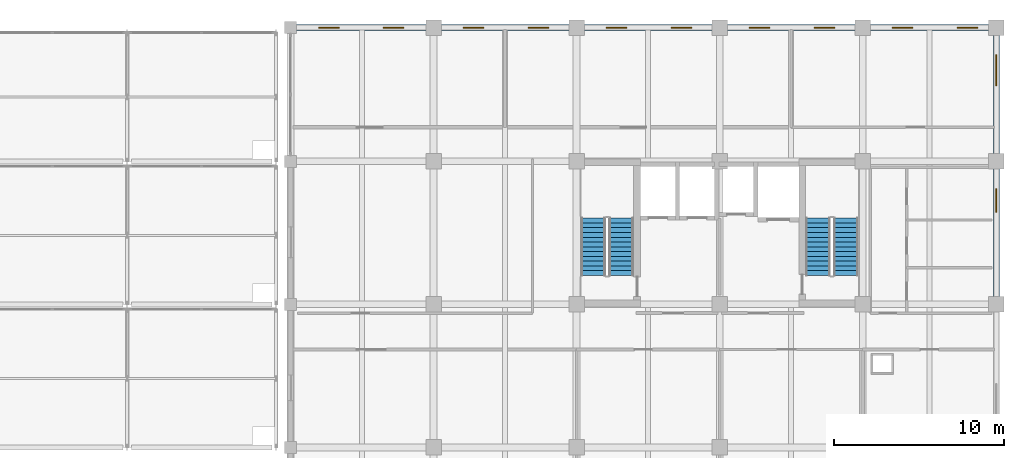
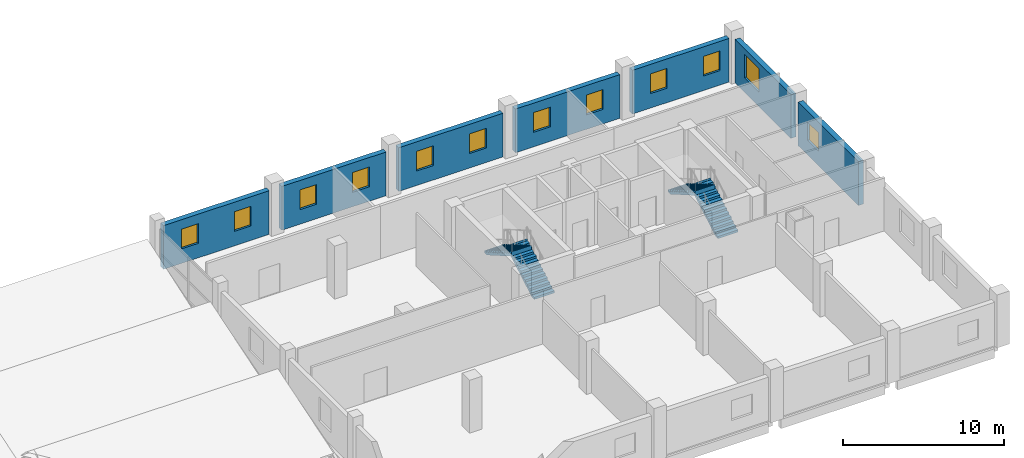
# One storey, part 39 of 40: 12 windows, 7 walls, 4 stair flights, 12 openings, 2 elements without a shape of their own.
"""IFC4 building model written with IfcOpenShell, lengths in metres."""

from ifc_helpers import new_model, si_unit, direction, frame, frame_2d, origin, place, context, subcontext, project, spatial, polyline, rectangle, outline, extrude, material, layer, layer_set, type_object, element, fill, aggregate, save


model = new_model("IFC4")

# Units and contexts
model_context = context("Model", 3, precision=1e-05, world=origin(), true_north=direction((0.0, 1.0)))
body_context = subcontext(model_context, "Body", "Model", "MODEL_VIEW")
ifc_project = project(units=[si_unit("LENGTHUNIT", "METRE"), si_unit("AREAUNIT", "SQUARE_METRE"), si_unit("VOLUMEUNIT", "CUBIC_METRE"), si_unit("PLANEANGLEUNIT", "RADIAN"), si_unit("MASSUNIT", "GRAM", prefix="KILO")], contexts=[model_context])

# Site, building, storey
site_placement = place(None, origin())
site = spatial("IfcSite", under=ifc_project, at=site_placement, CompositionType="ELEMENT")
building_placement = place(site_placement, origin())
building = spatial("IfcBuilding", under=site, at=building_placement, Name="Brinegate Botanical Conservatory", CompositionType="ELEMENT")
storey_placement = place(building_placement, frame((0.0, 0.0, 19.199951171875)))
storey = spatial("IfcBuildingStorey", under=building, at=storey_placement, Name="L05", CompositionType="ELEMENT", Elevation=19.199951171875)

# Wall, openings, windows
ifc_material_1 = material(Name="Insulated Minnan red clay brick masonry", Category="masonry")
ifc_layer = layer(ifc_material_1, 0.360107421875, Name="Insulated Minnan red clay brick masonry", Category="masonry")
ifc_layer_set = layer_set([ifc_layer], Name="Insulated Minnan red clay brick masonry")
wall_type = type_object("IfcWallType", Name="Wall_EW-360B", PredefinedType="STANDARD", material=ifc_layer_set)
wall_1_placement = place(storey_placement, frame((122.35009765625, 111.449951171875, 0.0), z_axis=(0.0, 0.0, 1.0), x_axis=(1.0, 0.0, 0.0)))
wall_1 = element("IfcWall", 1, at=wall_1_placement, inside=storey, type_object=wall_type, Name="Herbarium north insulated red-brick wall L05.1", PredefinedType="STANDARD", context=body_context, shape_type="SweptSolid", body=[
    extrude(rectangle(XDim=7.599853515625, YDim=0.360107421875, at=frame_2d((3.7998046875, 0.0))), origin(), (0.0, 0.0, 1.0), 3.320068359375),
])
opening_1_placement = place(wall_1_placement, frame((1.300048828125, 0.0, 1.10009765625)))
opening_1 = element("IfcOpeningElement", 2, at=opening_1_placement, cuts=wall_1, Name="Opening WN-07", PredefinedType="OPENING", context=body_context, shape_type="SweptSolid", body=[
    extrude(rectangle(XDim=1.199951171875, YDim=1.5, at=frame_2d((0.60009765625, 0.75))), frame((0.0, 0.18994140625, 0.0), z_axis=(0.0, -1.0, 0.0), x_axis=(1.0, 0.0, 0.0)), (0.0, 0.0, 1.0), 0.380126953125),
])
opening_2_placement = place(wall_1_placement, frame((5.10009765625, 0.0, 1.10009765625)))
opening_2 = element("IfcOpeningElement", 3, at=opening_2_placement, cuts=wall_1, Name="Opening WN-07", PredefinedType="OPENING", context=body_context, shape_type="SweptSolid", body=[
    extrude(rectangle(XDim=1.199951171875, YDim=1.5, at=frame_2d((0.60009765625, 0.75))), frame((0.0, 0.18994140625, 0.0), z_axis=(0.0, -1.0, 0.0), x_axis=(1.0, 0.0, 0.0)), (0.0, 0.0, 1.0), 0.380126953125),
])
ifc_material_2 = material(Name="Thermally broken aluminium-framed Low-E glass", Category="aluminium")
window_type_1 = type_object("IfcWindowType", Name="Win_WN-07", PartitioningType="SINGLE_PANEL", PredefinedType="WINDOW", material=ifc_material_2)
window_1_placement = place(opening_1_placement, origin())
window_1 = element("IfcWindow", 4, at=window_1_placement, inside=storey, type_object=window_type_1, Name="Herbarium north UV-filtered window L05.1A", OverallHeight=1.5, OverallWidth=1.199951171875, PartitioningType="SINGLE_PANEL", PredefinedType="WINDOW", context=body_context, shape_type="SweptSolid", body=[
    extrude(rectangle(XDim=1.199951171875, YDim=1.5, at=frame_2d((0.60009765625, 0.75))), frame((0.0, 0.030029296875, 0.0), z_axis=(0.0, -1.0, 0.0), x_axis=(1.0, 0.0, 0.0)), (0.0, 0.0, 1.0), 0.06005859375),
])
fill(opening_1, window_1)
window_2_placement = place(opening_2_placement, origin())
window_2 = element("IfcWindow", 5, at=window_2_placement, inside=storey, type_object=window_type_1, Name="Herbarium north UV-filtered window L05.1B", OverallHeight=1.5, OverallWidth=1.199951171875, PartitioningType="SINGLE_PANEL", PredefinedType="WINDOW", context=body_context, shape_type="SweptSolid", body=[
    extrude(rectangle(XDim=1.199951171875, YDim=1.5, at=frame_2d((0.60009765625, 0.75))), frame((0.0, 0.030029296875, 0.0), z_axis=(0.0, -1.0, 0.0), x_axis=(1.0, 0.0, 0.0)), (0.0, 0.0, 1.0), 0.06005859375),
])
fill(opening_2, window_2)

wall_2_placement = place(storey_placement, frame((130.85009765625, 111.449951171875, 0.0), z_axis=(0.0, 0.0, 1.0), x_axis=(1.0, 0.0, 0.0)))
wall_2 = element("IfcWall", 6, at=wall_2_placement, inside=storey, type_object=wall_type, Name="Herbarium north insulated red-brick wall L05.2", PredefinedType="STANDARD", context=body_context, shape_type="SweptSolid", body=[
    extrude(rectangle(XDim=7.5, YDim=0.360107421875, at=frame_2d((3.75, 0.0))), origin(), (0.0, 0.0, 1.0), 3.320068359375),
])
opening_3_placement = place(wall_2_placement, frame((1.300048828125, 0.0, 1.10009765625)))
opening_3 = element("IfcOpeningElement", 7, at=opening_3_placement, cuts=wall_2, Name="Opening WN-07", PredefinedType="OPENING", context=body_context, shape_type="SweptSolid", body=[
    extrude(rectangle(XDim=1.199951171875, YDim=1.5, at=frame_2d((0.60009765625, 0.75))), frame((0.0, 0.18994140625, 0.0), z_axis=(0.0, -1.0, 0.0), x_axis=(1.0, 0.0, 0.0)), (0.0, 0.0, 1.0), 0.380126953125),
])
opening_4_placement = place(wall_2_placement, frame((5.10009765625, 0.0, 1.10009765625)))
opening_4 = element("IfcOpeningElement", 8, at=opening_4_placement, cuts=wall_2, Name="Opening WN-07", PredefinedType="OPENING", context=body_context, shape_type="SweptSolid", body=[
    extrude(rectangle(XDim=1.199951171875, YDim=1.5, at=frame_2d((0.60009765625, 0.75))), frame((0.0, 0.18994140625, 0.0), z_axis=(0.0, -1.0, 0.0), x_axis=(1.0, 0.0, 0.0)), (0.0, 0.0, 1.0), 0.380126953125),
])
window_3_placement = place(opening_3_placement, origin())
window_3 = element("IfcWindow", 9, at=window_3_placement, inside=storey, type_object=window_type_1, Name="Herbarium north UV-filtered window L05.2A", OverallHeight=1.5, OverallWidth=1.199951171875, PartitioningType="SINGLE_PANEL", PredefinedType="WINDOW", context=body_context, shape_type="SweptSolid", body=[
    extrude(rectangle(XDim=1.199951171875, YDim=1.5, at=frame_2d((0.60009765625, 0.75))), frame((0.0, 0.030029296875, 0.0), z_axis=(0.0, -1.0, 0.0), x_axis=(1.0, 0.0, 0.0)), (0.0, 0.0, 1.0), 0.06005859375),
])
fill(opening_3, window_3)
window_4_placement = place(opening_4_placement, origin())
window_4 = element("IfcWindow", 10, at=window_4_placement, inside=storey, type_object=window_type_1, Name="Herbarium north UV-filtered window L05.2B", OverallHeight=1.5, OverallWidth=1.199951171875, PartitioningType="SINGLE_PANEL", PredefinedType="WINDOW", context=body_context, shape_type="SweptSolid", body=[
    extrude(rectangle(XDim=1.199951171875, YDim=1.5, at=frame_2d((0.60009765625, 0.75))), frame((0.0, 0.030029296875, 0.0), z_axis=(0.0, -1.0, 0.0), x_axis=(1.0, 0.0, 0.0)), (0.0, 0.0, 1.0), 0.06005859375),
])
fill(opening_4, window_4)

wall_3_placement = place(storey_placement, frame((139.25, 111.449951171875, 0.0), z_axis=(0.0, 0.0, 1.0), x_axis=(1.0, 0.0, 0.0)))
wall_3 = element("IfcWall", 11, at=wall_3_placement, inside=storey, type_object=wall_type, Name="Herbarium north insulated red-brick wall L05.3", PredefinedType="STANDARD", context=body_context, shape_type="SweptSolid", body=[
    extrude(rectangle(XDim=7.5, YDim=0.360107421875, at=frame_2d((3.75, 0.0))), origin(), (0.0, 0.0, 1.0), 3.320068359375),
])
opening_5_placement = place(wall_3_placement, frame((1.300048828125, 0.0, 1.10009765625)))
opening_5 = element("IfcOpeningElement", 12, at=opening_5_placement, cuts=wall_3, Name="Opening WN-07", PredefinedType="OPENING", context=body_context, shape_type="SweptSolid", body=[
    extrude(rectangle(XDim=1.199951171875, YDim=1.5, at=frame_2d((0.60009765625, 0.75))), frame((0.0, 0.18994140625, 0.0), z_axis=(0.0, -1.0, 0.0), x_axis=(1.0, 0.0, 0.0)), (0.0, 0.0, 1.0), 0.380126953125),
])
opening_6_placement = place(wall_3_placement, frame((5.10009765625, 0.0, 1.10009765625)))
opening_6 = element("IfcOpeningElement", 13, at=opening_6_placement, cuts=wall_3, Name="Opening WN-07", PredefinedType="OPENING", context=body_context, shape_type="SweptSolid", body=[
    extrude(rectangle(XDim=1.199951171875, YDim=1.5, at=frame_2d((0.60009765625, 0.75))), frame((0.0, 0.18994140625, 0.0), z_axis=(0.0, -1.0, 0.0), x_axis=(1.0, 0.0, 0.0)), (0.0, 0.0, 1.0), 0.380126953125),
])
window_5_placement = place(opening_5_placement, origin())
window_5 = element("IfcWindow", 14, at=window_5_placement, inside=storey, type_object=window_type_1, Name="Herbarium north UV-filtered window L05.3A", OverallHeight=1.5, OverallWidth=1.199951171875, PartitioningType="SINGLE_PANEL", PredefinedType="WINDOW", context=body_context, shape_type="SweptSolid", body=[
    extrude(rectangle(XDim=1.199951171875, YDim=1.5, at=frame_2d((0.60009765625, 0.75))), frame((0.0, 0.030029296875, 0.0), z_axis=(0.0, -1.0, 0.0), x_axis=(1.0, 0.0, 0.0)), (0.0, 0.0, 1.0), 0.06005859375),
])
fill(opening_5, window_5)
window_6_placement = place(opening_6_placement, origin())
window_6 = element("IfcWindow", 15, at=window_6_placement, inside=storey, type_object=window_type_1, Name="Herbarium north UV-filtered window L05.3B", OverallHeight=1.5, OverallWidth=1.199951171875, PartitioningType="SINGLE_PANEL", PredefinedType="WINDOW", context=body_context, shape_type="SweptSolid", body=[
    extrude(rectangle(XDim=1.199951171875, YDim=1.5, at=frame_2d((0.60009765625, 0.75))), frame((0.0, 0.030029296875, 0.0), z_axis=(0.0, -1.0, 0.0), x_axis=(1.0, 0.0, 0.0)), (0.0, 0.0, 1.0), 0.06005859375),
])
fill(opening_6, window_6)

wall_4_placement = place(storey_placement, frame((147.64990234375, 111.449951171875, 0.0), z_axis=(0.0, 0.0, 1.0), x_axis=(1.0, 0.0, 0.0)))
wall_4 = element("IfcWall", 16, at=wall_4_placement, inside=storey, type_object=wall_type, Name="Herbarium north insulated red-brick wall L05.4", PredefinedType="STANDARD", context=body_context, shape_type="SweptSolid", body=[
    extrude(rectangle(XDim=7.5, YDim=0.360107421875, at=frame_2d((3.75, 0.0))), origin(), (0.0, 0.0, 1.0), 3.320068359375),
])
opening_7_placement = place(wall_4_placement, frame((1.300048828125, 0.0, 1.10009765625)))
opening_7 = element("IfcOpeningElement", 17, at=opening_7_placement, cuts=wall_4, Name="Opening WN-07", PredefinedType="OPENING", context=body_context, shape_type="SweptSolid", body=[
    extrude(rectangle(XDim=1.199951171875, YDim=1.5, at=frame_2d((0.60009765625, 0.75))), frame((0.0, 0.18994140625, 0.0), z_axis=(0.0, -1.0, 0.0), x_axis=(1.0, 0.0, 0.0)), (0.0, 0.0, 1.0), 0.380126953125),
])
opening_8_placement = place(wall_4_placement, frame((5.10009765625, 0.0, 1.10009765625)))
opening_8 = element("IfcOpeningElement", 18, at=opening_8_placement, cuts=wall_4, Name="Opening WN-07", PredefinedType="OPENING", context=body_context, shape_type="SweptSolid", body=[
    extrude(rectangle(XDim=1.199951171875, YDim=1.5, at=frame_2d((0.60009765625, 0.75))), frame((0.0, 0.18994140625, 0.0), z_axis=(0.0, -1.0, 0.0), x_axis=(1.0, 0.0, 0.0)), (0.0, 0.0, 1.0), 0.380126953125),
])
window_7_placement = place(opening_7_placement, origin())
window_7 = element("IfcWindow", 19, at=window_7_placement, inside=storey, type_object=window_type_1, Name="Herbarium north UV-filtered window L05.4A", OverallHeight=1.5, OverallWidth=1.199951171875, PartitioningType="SINGLE_PANEL", PredefinedType="WINDOW", context=body_context, shape_type="SweptSolid", body=[
    extrude(rectangle(XDim=1.199951171875, YDim=1.5, at=frame_2d((0.60009765625, 0.75))), frame((0.0, 0.030029296875, 0.0), z_axis=(0.0, -1.0, 0.0), x_axis=(1.0, 0.0, 0.0)), (0.0, 0.0, 1.0), 0.06005859375),
])
fill(opening_7, window_7)
window_8_placement = place(opening_8_placement, origin())
window_8 = element("IfcWindow", 20, at=window_8_placement, inside=storey, type_object=window_type_1, Name="Herbarium north UV-filtered window L05.4B", OverallHeight=1.5, OverallWidth=1.199951171875, PartitioningType="SINGLE_PANEL", PredefinedType="WINDOW", context=body_context, shape_type="SweptSolid", body=[
    extrude(rectangle(XDim=1.199951171875, YDim=1.5, at=frame_2d((0.60009765625, 0.75))), frame((0.0, 0.030029296875, 0.0), z_axis=(0.0, -1.0, 0.0), x_axis=(1.0, 0.0, 0.0)), (0.0, 0.0, 1.0), 0.06005859375),
])
fill(opening_8, window_8)

wall_5_placement = place(storey_placement, frame((156.050048828125, 111.449951171875, 0.0), z_axis=(0.0, 0.0, 1.0), x_axis=(1.0, 0.0, 0.0)))
wall_5 = element("IfcWall", 21, at=wall_5_placement, inside=storey, type_object=wall_type, Name="Herbarium north insulated red-brick wall L05.5", PredefinedType="STANDARD", context=body_context, shape_type="SweptSolid", body=[
    extrude(rectangle(XDim=6.949951171875, YDim=0.360107421875, at=frame_2d((3.47509765625, 0.0))), origin(), (0.0, 0.0, 1.0), 3.320068359375),
])
opening_9_placement = place(wall_5_placement, frame((1.300048828125, 0.0, 1.10009765625)))
opening_9 = element("IfcOpeningElement", 22, at=opening_9_placement, cuts=wall_5, Name="Opening WN-07", PredefinedType="OPENING", context=body_context, shape_type="SweptSolid", body=[
    extrude(rectangle(XDim=1.199951171875, YDim=1.5, at=frame_2d((0.60009765625, 0.75))), frame((0.0, 0.18994140625, 0.0), z_axis=(0.0, -1.0, 0.0), x_axis=(1.0, 0.0, 0.0)), (0.0, 0.0, 1.0), 0.380126953125),
])
opening_10_placement = place(wall_5_placement, frame((5.10009765625, 0.0, 1.10009765625)))
opening_10 = element("IfcOpeningElement", 23, at=opening_10_placement, cuts=wall_5, Name="Opening WN-07", PredefinedType="OPENING", context=body_context, shape_type="SweptSolid", body=[
    extrude(rectangle(XDim=1.199951171875, YDim=1.5, at=frame_2d((0.60009765625, 0.75))), frame((0.0, 0.18994140625, 0.0), z_axis=(0.0, -1.0, 0.0), x_axis=(1.0, 0.0, 0.0)), (0.0, 0.0, 1.0), 0.380126953125),
])
window_9_placement = place(opening_9_placement, origin())
window_9 = element("IfcWindow", 24, at=window_9_placement, inside=storey, type_object=window_type_1, Name="Herbarium north UV-filtered window L05.5A", OverallHeight=1.5, OverallWidth=1.199951171875, PartitioningType="SINGLE_PANEL", PredefinedType="WINDOW", context=body_context, shape_type="SweptSolid", body=[
    extrude(rectangle(XDim=1.199951171875, YDim=1.5, at=frame_2d((0.60009765625, 0.75))), frame((0.0, 0.030029296875, 0.0), z_axis=(0.0, -1.0, 0.0), x_axis=(1.0, 0.0, 0.0)), (0.0, 0.0, 1.0), 0.06005859375),
])
fill(opening_9, window_9)
window_10_placement = place(opening_10_placement, origin())
window_10 = element("IfcWindow", 25, at=window_10_placement, inside=storey, type_object=window_type_1, Name="Herbarium north UV-filtered window L05.5B", OverallHeight=1.5, OverallWidth=1.199951171875, PartitioningType="SINGLE_PANEL", PredefinedType="WINDOW", context=body_context, shape_type="SweptSolid", body=[
    extrude(rectangle(XDim=1.199951171875, YDim=1.5, at=frame_2d((0.60009765625, 0.75))), frame((0.0, 0.030029296875, 0.0), z_axis=(0.0, -1.0, 0.0), x_axis=(1.0, 0.0, 0.0)), (0.0, 0.0, 1.0), 0.06005859375),
])
fill(opening_10, window_10)

# Wall, opening, window
wall_6_placement = place(storey_placement, frame((163.449951171875, 103.14990234375, 0.0), z_axis=(0.0, 0.0, 1.0), x_axis=(0.0, -1.0, 0.0)))
wall_6 = element("IfcWall", 26, at=wall_6_placement, inside=storey, type_object=wall_type, Name="Tower east brick wall L05.3", PredefinedType="STANDARD", context=body_context, shape_type="SweptSolid", body=[
    extrude(rectangle(XDim=7.5, YDim=0.360107421875, at=frame_2d((3.75, 0.0))), origin(), (0.0, 0.0, 1.0), 3.320068359375),
])
opening_11_placement = place(wall_6_placement, frame((1.14990234375, 0.0, 1.10009765625)))
opening_11 = element("IfcOpeningElement", 27, at=opening_11_placement, cuts=wall_6, Name="Opening WN-16", PredefinedType="OPENING", context=body_context, shape_type="SweptSolid", body=[
    extrude(rectangle(XDim=1.39990234375, YDim=1.39990234375, at=frame_2d((0.699951171875, 0.699951171875))), frame((0.0, 0.18994140625, 0.0), z_axis=(0.0, -1.0, 0.0), x_axis=(1.0, 0.0, 0.0)), (0.0, 0.0, 1.0), 0.380126953125),
])
window_type_2 = type_object("IfcWindowType", Name="Win_WN-16", PartitioningType="SINGLE_PANEL", PredefinedType="WINDOW", material=ifc_material_2)
window_11_placement = place(opening_11_placement, origin())
window_11 = element("IfcWindow", 28, at=window_11_placement, inside=storey, type_object=window_type_2, Name="Tower east window L05.3", OverallHeight=1.39990234375, OverallWidth=1.39990234375, PartitioningType="SINGLE_PANEL", PredefinedType="WINDOW", context=body_context, shape_type="SweptSolid", body=[
    extrude(rectangle(XDim=1.39990234375, YDim=1.39990234375, at=frame_2d((0.699951171875, 0.699951171875))), frame((0.0, 0.030029296875, 0.0), z_axis=(0.0, -1.0, 0.0), x_axis=(1.0, 0.0, 0.0)), (0.0, 0.0, 1.0), 0.06005859375),
])
fill(opening_11, window_11)

wall_7_placement = place(storey_placement, frame((163.449951171875, 111.0, 0.0), z_axis=(0.0, 0.0, 1.0), x_axis=(0.0, -1.0, 0.0)))
wall_7 = element("IfcWall", 29, at=wall_7_placement, inside=storey, type_object=wall_type, Name="Tower east brick wall L05.4", PredefinedType="STANDARD", context=body_context, shape_type="SweptSolid", body=[
    extrude(rectangle(XDim=6.949951171875, YDim=0.360107421875, at=frame_2d((3.47509765625, 0.0))), origin(), (0.0, 0.0, 1.0), 3.320068359375),
])
opening_12_placement = place(wall_7_placement, frame((1.14990234375, 0.0, 1.10009765625)))
opening_12 = element("IfcOpeningElement", 30, at=opening_12_placement, cuts=wall_7, Name="Opening WN-05", PredefinedType="OPENING", context=body_context, shape_type="SweptSolid", body=[
    extrude(rectangle(XDim=1.800048828125, YDim=1.800048828125, at=frame_2d((0.89990234375, 0.89990234375))), frame((0.0, 0.18994140625, 0.0), z_axis=(0.0, -1.0, 0.0), x_axis=(1.0, 0.0, 0.0)), (0.0, 0.0, 1.0), 0.380126953125),
])
window_type_3 = type_object("IfcWindowType", Name="Win_WN-05", PartitioningType="DOUBLE_PANEL_VERTICAL", PredefinedType="WINDOW", material=ifc_material_2)
window_12_placement = place(opening_12_placement, origin())
window_12 = element("IfcWindow", 31, at=window_12_placement, inside=storey, type_object=window_type_3, Name="Tower east window L05.4", OverallHeight=1.800048828125, OverallWidth=1.800048828125, PartitioningType="DOUBLE_PANEL_VERTICAL", PredefinedType="WINDOW", context=body_context, shape_type="SweptSolid", body=[
    extrude(rectangle(XDim=1.800048828125, YDim=1.800048828125, at=frame_2d((0.89990234375, 0.89990234375))), frame((0.0, 0.030029296875, 0.0), z_axis=(0.0, -1.0, 0.0), x_axis=(1.0, 0.0, 0.0)), (0.0, 0.0, 1.0), 0.06005859375),
])
fill(opening_12, window_12)

# Stair, stair flights
ifc_material_3 = material(Name="Concrete C40/50", Category="concrete")
stair_type = type_object("IfcStairType", Name="Stair_HT-4200", PredefinedType="HALF_TURN_STAIR", material=ifc_material_3)
stair_1_placement = place(storey_placement, origin())
stair_1 = element("IfcStair", 32, at=stair_1_placement, inside=storey, type_object=stair_type, Name="L05 Tower West Smoke-Proof Stair ST1", PredefinedType="HALF_TURN_STAIR")
stair_flight_type = type_object("IfcStairFlightType", Name="Flight_SF-4200", PredefinedType="STRAIGHT", material=ifc_material_3)
stair_flight_1_placement = place(storey_placement, frame((141.425048828125, 96.89990234375, 0.0), z_axis=(0.0, 0.0, 1.0), x_axis=(0.0, 1.0, 0.0)))
stair_flight_1 = element("IfcStairFlight", 33, at=stair_flight_1_placement, type_object=stair_flight_type, Name="ST1 flight 1", NumberOfRisers=13, NumberOfTreads=12, PredefinedType="STRAIGHT", RiserHeight=0.161538462, TreadLength=0.28, context=body_context, shape_type="SweptSolid", body=[
    extrude(outline(polyline([(-0.00048828125, 0.0), (-0.00048828125, 0.16162109375), (0.280029296875, 0.16162109375), (0.280029296875, 0.322998046875), (0.56005859375, 0.322998046875), (0.56005859375, 0.484619140625), (0.840087890625, 0.484619140625), (0.840087890625, 0.646240234375), (1.1201171875, 0.646240234375), (1.1201171875, 0.8076171875), (1.39990234375, 0.8076171875), (1.39990234375, 0.96923828125), (1.679931640625, 0.96923828125), (1.679931640625, 1.130859375), (1.9599609375, 1.130859375), (1.9599609375, 1.292236328125), (2.239990234375, 1.292236328125), (2.239990234375, 1.453857421875), (2.52001953125, 1.453857421875), (2.52001953125, 1.615478515625), (2.800048828125, 1.615478515625), (2.800048828125, 1.77685546875), (3.080078125, 1.77685546875), (3.080078125, 1.9384765625), (3.360107421875, 1.9384765625), (3.360107421875, 2.10009765625), (3.360595703125, 2.10009765625), (3.360595703125, 1.765380859375), (0.300048828125, 0.0), (-0.00048828125, 0.0)])), frame((0.0, 0.72509765625, 0.0), z_axis=(0.0, -1.0, 0.0), x_axis=(1.0, 0.0, 0.0)), (0.0, 0.0, 1.0), 1.449951171875),
])
stair_flight_2_placement = place(storey_placement, frame((139.77490234375, 100.260009765625, 2.10009765625), z_axis=(0.0, 0.0, 1.0), x_axis=(0.0, -1.0, 0.0)))
stair_flight_2 = element("IfcStairFlight", 34, at=stair_flight_2_placement, type_object=stair_flight_type, Name="ST1 flight 2", NumberOfRisers=13, NumberOfTreads=12, PredefinedType="STRAIGHT", RiserHeight=0.161538462, TreadLength=0.28, context=body_context, shape_type="SweptSolid", body=[
    extrude(outline(polyline([(-0.00048828125, 0.0), (-0.00048828125, 0.16162109375), (0.280029296875, 0.16162109375), (0.280029296875, 0.322998046875), (0.56005859375, 0.322998046875), (0.56005859375, 0.484619140625), (0.840087890625, 0.484619140625), (0.840087890625, 0.646240234375), (1.1201171875, 0.646240234375), (1.1201171875, 0.8076171875), (1.39990234375, 0.8076171875), (1.39990234375, 0.96923828125), (1.679931640625, 0.96923828125), (1.679931640625, 1.130859375), (1.9599609375, 1.130859375), (1.9599609375, 1.292236328125), (2.239990234375, 1.292236328125), (2.239990234375, 1.453857421875), (2.52001953125, 1.453857421875), (2.52001953125, 1.615478515625), (2.800048828125, 1.615478515625), (2.800048828125, 1.77685546875), (3.080078125, 1.77685546875), (3.080078125, 1.9384765625), (3.360107421875, 1.9384765625), (3.360107421875, 2.10009765625), (3.360595703125, 2.10009765625), (3.360595703125, 1.765380859375), (0.300048828125, 0.0), (-0.00048828125, 0.0)])), frame((0.0, 0.72509765625, 0.0), z_axis=(0.0, -1.0, 0.0), x_axis=(1.0, 0.0, 0.0)), (0.0, 0.0, 1.0), 1.449951171875),
])
aggregate(stair_1, [stair_flight_1, stair_flight_2])

stair_2_placement = place(storey_placement, origin())
stair_2 = element("IfcStair", 35, at=stair_2_placement, inside=storey, type_object=stair_type, Name="L05 Tower East Smoke-Proof Stair ST2", PredefinedType="HALF_TURN_STAIR")
stair_flight_3_placement = place(storey_placement, frame((154.625, 96.89990234375, 0.0), z_axis=(0.0, 0.0, 1.0), x_axis=(0.0, 1.0, 0.0)))
stair_flight_3 = element("IfcStairFlight", 36, at=stair_flight_3_placement, type_object=stair_flight_type, Name="ST2 flight 1", NumberOfRisers=13, NumberOfTreads=12, PredefinedType="STRAIGHT", RiserHeight=0.161538462, TreadLength=0.28, context=body_context, shape_type="SweptSolid", body=[
    extrude(outline(polyline([(-0.00048828125, 0.0), (-0.00048828125, 0.16162109375), (0.280029296875, 0.16162109375), (0.280029296875, 0.322998046875), (0.56005859375, 0.322998046875), (0.56005859375, 0.484619140625), (0.840087890625, 0.484619140625), (0.840087890625, 0.646240234375), (1.1201171875, 0.646240234375), (1.1201171875, 0.8076171875), (1.39990234375, 0.8076171875), (1.39990234375, 0.96923828125), (1.679931640625, 0.96923828125), (1.679931640625, 1.130859375), (1.9599609375, 1.130859375), (1.9599609375, 1.292236328125), (2.239990234375, 1.292236328125), (2.239990234375, 1.453857421875), (2.52001953125, 1.453857421875), (2.52001953125, 1.615478515625), (2.800048828125, 1.615478515625), (2.800048828125, 1.77685546875), (3.080078125, 1.77685546875), (3.080078125, 1.9384765625), (3.360107421875, 1.9384765625), (3.360107421875, 2.10009765625), (3.360595703125, 2.10009765625), (3.360595703125, 1.765380859375), (0.300048828125, 0.0), (-0.00048828125, 0.0)])), frame((0.0, 0.72509765625, 0.0), z_axis=(0.0, -1.0, 0.0), x_axis=(1.0, 0.0, 0.0)), (0.0, 0.0, 1.0), 1.449951171875),
])
stair_flight_4_placement = place(storey_placement, frame((152.97509765625, 100.260009765625, 2.10009765625), z_axis=(0.0, 0.0, 1.0), x_axis=(0.0, -1.0, 0.0)))
stair_flight_4 = element("IfcStairFlight", 37, at=stair_flight_4_placement, type_object=stair_flight_type, Name="ST2 flight 2", NumberOfRisers=13, NumberOfTreads=12, PredefinedType="STRAIGHT", RiserHeight=0.161538462, TreadLength=0.28, context=body_context, shape_type="SweptSolid", body=[
    extrude(outline(polyline([(-0.00048828125, 0.0), (-0.00048828125, 0.16162109375), (0.280029296875, 0.16162109375), (0.280029296875, 0.322998046875), (0.56005859375, 0.322998046875), (0.56005859375, 0.484619140625), (0.840087890625, 0.484619140625), (0.840087890625, 0.646240234375), (1.1201171875, 0.646240234375), (1.1201171875, 0.8076171875), (1.39990234375, 0.8076171875), (1.39990234375, 0.96923828125), (1.679931640625, 0.96923828125), (1.679931640625, 1.130859375), (1.9599609375, 1.130859375), (1.9599609375, 1.292236328125), (2.239990234375, 1.292236328125), (2.239990234375, 1.453857421875), (2.52001953125, 1.453857421875), (2.52001953125, 1.615478515625), (2.800048828125, 1.615478515625), (2.800048828125, 1.77685546875), (3.080078125, 1.77685546875), (3.080078125, 1.9384765625), (3.360107421875, 1.9384765625), (3.360107421875, 2.10009765625), (3.360595703125, 2.10009765625), (3.360595703125, 1.765380859375), (0.300048828125, 0.0), (-0.00048828125, 0.0)])), frame((0.0, 0.72509765625, 0.0), z_axis=(0.0, -1.0, 0.0), x_axis=(1.0, 0.0, 0.0)), (0.0, 0.0, 1.0), 1.449951171875),
])
aggregate(stair_2, [stair_flight_3, stair_flight_4])

save(model, "model.ifc")
